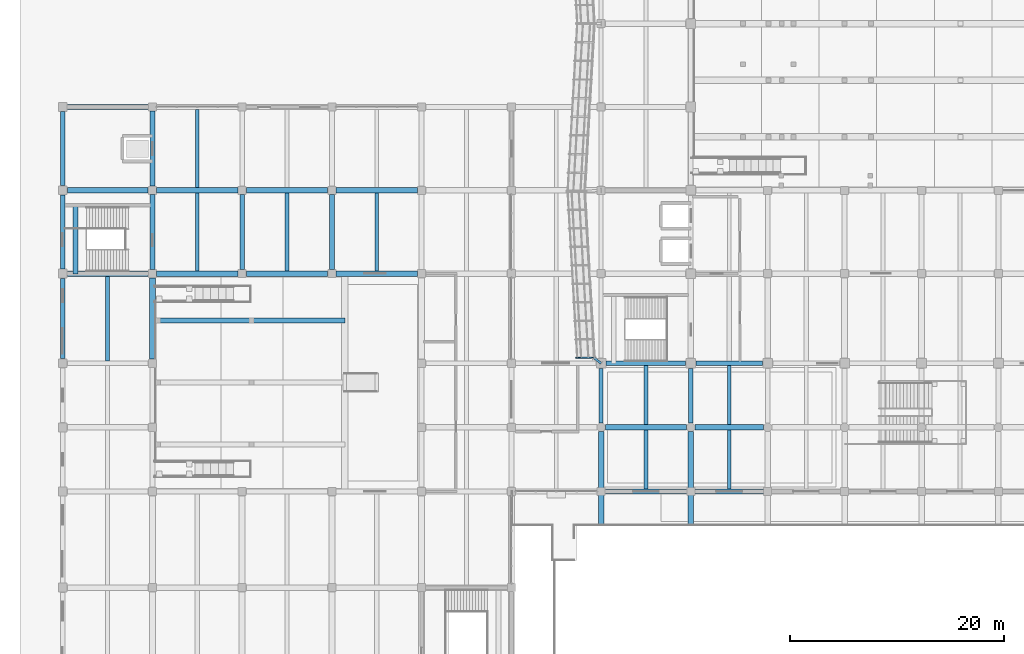
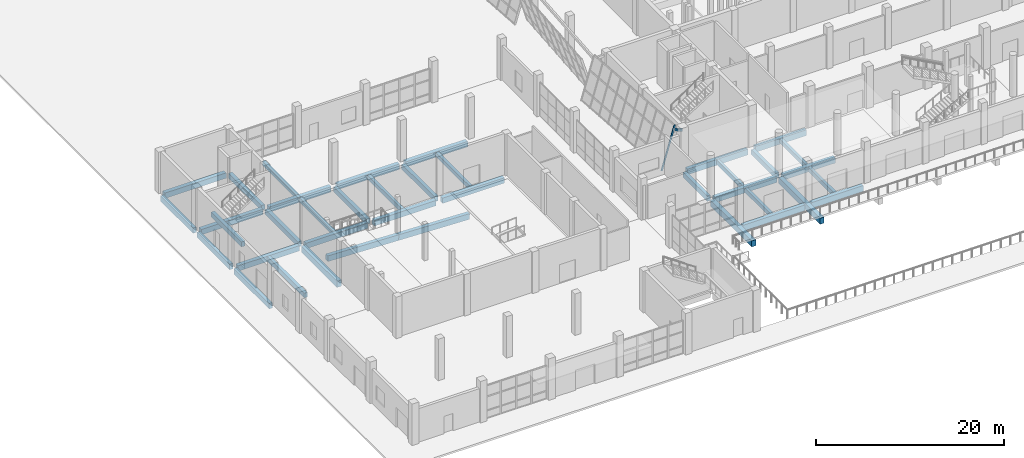
# One storey, part 14 of 78: 40 beams, 1 member, 1 element without a shape of its own.
"""IFC4 building model written with IfcOpenShell, lengths in metres."""

from ifc_helpers import new_model, si_unit, direction, frame, origin, origin_2d, place, context, subcontext, project, spatial, rectangle, hollow_rectangle, extrude, material, material_profile, profile_set, type_object, element, aggregate, save


model = new_model("IFC4")

# Units and contexts
model_context = context("Model", 3, precision=1e-05, world=origin(), true_north=direction((0.0, 1.0)))
body_context = subcontext(model_context, "Body", "Model", "MODEL_VIEW")
ifc_project = project(units=[si_unit("LENGTHUNIT", "METRE"), si_unit("AREAUNIT", "SQUARE_METRE"), si_unit("VOLUMEUNIT", "CUBIC_METRE"), si_unit("PLANEANGLEUNIT", "RADIAN"), si_unit("MASSUNIT", "GRAM", prefix="KILO")], contexts=[model_context])

# Site, building, storey
site_placement = place(None, origin())
site = spatial("IfcSite", under=ifc_project, at=site_placement, CompositionType="ELEMENT")
building_placement = place(site_placement, origin())
building = spatial("IfcBuilding", under=site, at=building_placement, Name="Pellamere Symphony Hall", CompositionType="ELEMENT")
storey_placement = place(building_placement, origin())
storey = spatial("IfcBuildingStorey", under=building, at=storey_placement, Name="L00", CompositionType="ELEMENT", Elevation=0.0)

# Curtain wall, member
ifc_material_1 = material(Name="Thermally Broken Anodised Aluminium 6063-T6 Curtain Wall", Category="aluminium")
curtain_wall_type = type_object("IfcCurtainWallType", Name="Curtain Wall CW-01 (Tilted Faceted Crystal Low-Iron Curtain Wall)", PredefinedType="NOTDEFINED", material=ifc_material_1)
curtain_wall_placement = place(storey_placement, origin())
curtain_wall = element("IfcCurtainWall", 1, at=curtain_wall_placement, inside=storey, type_object=curtain_wall_type, Name="Crystal Faceted Curtain Wall CW-CR18 (L00)", PredefinedType="NOTDEFINED")
ifc_material_2 = material(Name="Anodised Architectural Aluminium 6063-T6", Category="aluminium")
ifc_material_profile_1 = material_profile(ifc_material_2, hollow_rectangle(XDim=0.074951171875, YDim=0.219970703125, WallThickness=0.0048828125, at=origin_2d()), Name="ALU-M75X220X5")
ifc_profile_set_1 = profile_set([ifc_material_profile_1], Name="Anodised Architectural Aluminium 6063-T6")
member_type = type_object("IfcMemberType", Name="Curtain Wall Mullion ML-01 ALU-M75X220X5", PredefinedType="MULLION", material=ifc_profile_set_1)
member_placement = place(storey_placement, frame((48.148193359375, 30.537353515625, 0.0), z_axis=(0.284029290042, 0.0, 0.958815603961), x_axis=(-0.055224456577, 0.998339941676, 0.01635910297)))
member = element("IfcMember", 2, at=member_placement, type_object=member_type, Name="CW1-052 crystal mullion 10", PredefinedType="MULLION", context=body_context, shape_type="SweptSolid", body=[
    extrude(hollow_rectangle(XDim=0.074951171875, YDim=0.219970703125, WallThickness=0.0048828125, at=origin_2d()), origin(), (0.0, 0.0, 1.0), 5.6318359375),
])
aggregate(curtain_wall, [member])

# Beams
ifc_material_3 = material(Name="Concrete 40 MPa", Category="concrete")
ifc_material_profile_2 = material_profile(ifc_material_3, rectangle(XDim=0.550048828125, YDim=0.800048828125, at=origin_2d()), Name="RC 550x800")
ifc_profile_set_2 = profile_set([ifc_material_profile_2], Name="Concrete 40 MPa")
beam_type_1 = type_object("IfcBeamType", Name="RC CB-05 550x800", PredefinedType="BEAM", material=ifc_profile_set_2)
beam_1_placement = place(storey_placement, frame((8.39990234375, 30.39990234375, -0.699951171875), z_axis=(0.0, 1.0, 0.0), x_axis=(-1.0, 0.0, 0.0)))
element("IfcBeam", 3, at=beam_1_placement, inside=storey, type_object=beam_type_1, Name="Girder CB-05-Y0208 (L00)", PredefinedType="BEAM", context=body_context, shape_type="SweptSolid", body=[
    extrude(rectangle(XDim=0.550048828125, YDim=0.800048828125, at=origin_2d()), origin(), (0.0, 0.0, 1.0), 7.60009765625),
])
ifc_material_profile_3 = material_profile(ifc_material_3, rectangle(XDim=0.52001953125, YDim=0.780029296875, at=origin_2d()), Name="RC 520x780")
ifc_profile_set_3 = profile_set([ifc_material_profile_3], Name="Concrete 40 MPa")
beam_type_2 = type_object("IfcBeamType", Name="RC CB-06 520x780", PredefinedType="BEAM", material=ifc_profile_set_3)
for number, where, z_axis, x_axis, name in (
    (4, (50.39990234375, 14.800048828125, -0.68994140625), (0.0, 1.0, 0.0), (-1.0, 0.0, 0.0), "Continuous Cantilever Terrace Girder CB-06-0233 (L00)"),
    (5, (58.800048828125, 14.800048828125, -0.68994140625), (0.0, 1.0, 0.0), (-1.0, 0.0, 0.0), "Continuous Cantilever Terrace Girder CB-06-0246 (L00)"),
):
    element("IfcBeam", number, at=place(storey_placement, frame(where, z_axis=z_axis, x_axis=x_axis)), inside=storey, type_object=beam_type_2, Name=name, PredefinedType="BEAM", context=body_context, shape_type="SweptSolid", body=[
        extrude(rectangle(XDim=0.52001953125, YDim=0.780029296875, at=origin_2d()), origin(), (0.0, 0.0, 1.0), 8.800048828125),
    ])
ifc_material_profile_4 = material_profile(ifc_material_3, rectangle(XDim=0.5, YDim=0.699951171875, at=origin_2d()), Name="RC 500x700")
ifc_profile_set_4 = profile_set([ifc_material_profile_4], Name="Concrete 40 MPa")
beam_type_3 = type_object("IfcBeamType", Name="RC CB-07 500x700", PredefinedType="BEAM", material=ifc_profile_set_4)
beam_2_placement = place(storey_placement, frame((50.800048828125, 24.0, -0.64990234375), z_axis=(1.0, 0.0, 0.0), x_axis=(0.0, 1.0, 0.0)))
element("IfcBeam", 6, at=beam_2_placement, inside=storey, type_object=beam_type_3, Name="Girder CB-07-X0035 (L00)", PredefinedType="BEAM", context=body_context, shape_type="SweptSolid", body=[
    extrude(rectangle(XDim=0.5, YDim=0.699951171875, at=origin_2d()), origin(), (0.0, 0.0, 1.0), 7.599853515625),
])
beam_3_placement = place(storey_placement, frame((59.199951171875, 24.0, -0.64990234375), z_axis=(1.0, 0.0, 0.0), x_axis=(0.0, 1.0, 0.0)))
element("IfcBeam", 7, at=beam_3_placement, inside=storey, type_object=beam_type_3, Name="Girder CB-07-X0036 (L00)", PredefinedType="BEAM", context=body_context, shape_type="SweptSolid", body=[
    extrude(rectangle(XDim=0.5, YDim=0.699951171875, at=origin_2d()), origin(), (0.0, 0.0, 1.0), 6.400146484375),
])
beam_4_placement = place(storey_placement, frame((0.43994140625, 38.39990234375, -0.64990234375), z_axis=(1.0, 0.0, 0.0), x_axis=(0.0, 1.0, 0.0)))
element("IfcBeam", 8, at=beam_4_placement, inside=storey, type_object=beam_type_3, Name="Girder CB-07-X0068 (L00)", PredefinedType="BEAM", context=body_context, shape_type="SweptSolid", body=[
    extrude(rectangle(XDim=0.5, YDim=0.699951171875, at=origin_2d()), origin(), (0.0, 0.0, 1.0), 7.56005859375),
])
beam_5_placement = place(storey_placement, frame((8.800048828125, 38.39990234375, -0.64990234375), z_axis=(1.0, 0.0, 0.0), x_axis=(0.0, 1.0, 0.0)))
element("IfcBeam", 9, at=beam_5_placement, inside=storey, type_object=beam_type_3, Name="Girder CB-07-X0069 (L00)", PredefinedType="BEAM", context=body_context, shape_type="SweptSolid", body=[
    extrude(rectangle(XDim=0.5, YDim=0.699951171875, at=origin_2d()), origin(), (0.0, 0.0, 1.0), 7.599853515625),
])
beam_6_placement = place(storey_placement, frame((17.199951171875, 38.39990234375, -0.64990234375), z_axis=(1.0, 0.0, 0.0), x_axis=(0.0, 1.0, 0.0)))
element("IfcBeam", 10, at=beam_6_placement, inside=storey, type_object=beam_type_3, Name="Girder CB-07-X0070 (L00)", PredefinedType="BEAM", context=body_context, shape_type="SweptSolid", body=[
    extrude(rectangle(XDim=0.5, YDim=0.699951171875, at=origin_2d()), origin(), (0.0, 0.0, 1.0), 7.60009765625),
])
beam_7_placement = place(storey_placement, frame((25.60009765625, 38.39990234375, -0.64990234375), z_axis=(1.0, 0.0, 0.0), x_axis=(0.0, 1.0, 0.0)))
element("IfcBeam", 11, at=beam_7_placement, inside=storey, type_object=beam_type_3, Name="Girder CB-07-X0071 (L00)", PredefinedType="BEAM", context=body_context, shape_type="SweptSolid", body=[
    extrude(rectangle(XDim=0.5, YDim=0.699951171875, at=origin_2d()), origin(), (0.0, 0.0, 1.0), 7.599853515625),
])
beam_8_placement = place(storey_placement, frame((0.43994140625, 46.199951171875, -0.64990234375), z_axis=(1.0, 0.0, 0.0), x_axis=(0.0, 1.0, 0.0)))
element("IfcBeam", 12, at=beam_8_placement, inside=storey, type_object=beam_type_3, Name="Girder CB-07-X0089 (L00)", PredefinedType="BEAM", context=body_context, shape_type="SweptSolid", body=[
    extrude(rectangle(XDim=0.5, YDim=0.699951171875, at=origin_2d()), origin(), (0.0, 0.0, 1.0), 7.56005859375),
])
beam_9_placement = place(storey_placement, frame((8.800048828125, 46.199951171875, -0.64990234375), z_axis=(1.0, 0.0, 0.0), x_axis=(0.0, 1.0, 0.0)))
element("IfcBeam", 13, at=beam_9_placement, inside=storey, type_object=beam_type_3, Name="Girder CB-07-X0090 (L00)", PredefinedType="BEAM", context=body_context, shape_type="SweptSolid", body=[
    extrude(rectangle(XDim=0.5, YDim=0.699951171875, at=origin_2d()), origin(), (0.0, 0.0, 1.0), 7.599853515625),
])
beam_10_placement = place(storey_placement, frame((17.199951171875, 46.199951171875, -0.64990234375), z_axis=(1.0, 0.0, 0.0), x_axis=(0.0, 1.0, 0.0)))
element("IfcBeam", 14, at=beam_10_placement, inside=storey, type_object=beam_type_3, Name="Girder CB-07-X0091 (L00)", PredefinedType="BEAM", context=body_context, shape_type="SweptSolid", body=[
    extrude(rectangle(XDim=0.5, YDim=0.699951171875, at=origin_2d()), origin(), (0.0, 0.0, 1.0), 7.60009765625),
])
beam_11_placement = place(storey_placement, frame((25.60009765625, 46.199951171875, -0.64990234375), z_axis=(1.0, 0.0, 0.0), x_axis=(0.0, 1.0, 0.0)))
element("IfcBeam", 15, at=beam_11_placement, inside=storey, type_object=beam_type_3, Name="Girder CB-07-X0092 (L00)", PredefinedType="BEAM", context=body_context, shape_type="SweptSolid", body=[
    extrude(rectangle(XDim=0.5, YDim=0.699951171875, at=origin_2d()), origin(), (0.0, 0.0, 1.0), 7.599853515625),
])
beam_12_placement = place(storey_placement, frame((0.43994140625, 54.0, -0.64990234375), z_axis=(1.0, 0.0, 0.0), x_axis=(0.0, 1.0, 0.0)))
element("IfcBeam", 16, at=beam_12_placement, inside=storey, type_object=beam_type_3, Name="Girder CB-07-X0110 (L00)", PredefinedType="BEAM", context=body_context, shape_type="SweptSolid", body=[
    extrude(rectangle(XDim=0.5, YDim=0.699951171875, at=origin_2d()), origin(), (0.0, 0.0, 1.0), 7.56005859375),
])
ifc_material_profile_5 = material_profile(ifc_material_3, rectangle(XDim=0.449951171875, YDim=0.64990234375, at=origin_2d()), Name="RC 450x650")
ifc_profile_set_5 = profile_set([ifc_material_profile_5], Name="Concrete 40 MPa")
beam_type_4 = type_object("IfcBeamType", Name="RC CB-08 450x650", PredefinedType="BEAM", material=ifc_profile_set_5)
for number, where, z_axis, x_axis, name in (
    (17, (8.39990234375, 38.800048828125, -0.625), (0.0, 1.0, 0.0), (-1.0, 0.0, 0.0), "Girder CB-08-Y0209 (L00)"),
    (18, (8.39990234375, 46.60009765625, -0.625), (0.0, 1.0, 0.0), (-1.0, 0.0, 0.0), "Girder CB-08-Y0210 (L00)"),
    (19, (16.800048828125, 38.800048828125, -0.625), (0.0, 1.0, 0.0), (-1.0, 0.0, 0.0), "Girder CB-08-Y0213 (L00)"),
    (20, (25.199951171875, 38.800048828125, -0.625), (0.0, 1.0, 0.0), (-1.0, 0.0, 0.0), "Girder CB-08-Y0217 (L00)"),
):
    element("IfcBeam", number, at=place(storey_placement, frame(where, z_axis=z_axis, x_axis=x_axis)), inside=storey, type_object=beam_type_4, Name=name, PredefinedType="BEAM", context=body_context, shape_type="SweptSolid", body=[
        extrude(rectangle(XDim=0.449951171875, YDim=0.64990234375, at=origin_2d()), origin(), (0.0, 0.0, 1.0), 7.0),
    ])
beam_13_placement = place(storey_placement, frame((58.800048828125, 24.39990234375, -0.625), z_axis=(0.0, 1.0, 0.0), x_axis=(-1.0, 0.0, 0.0)))
element("IfcBeam", 21, at=beam_13_placement, inside=storey, type_object=beam_type_4, Name="Girder CB-08-Y0247 (L00)", PredefinedType="BEAM", context=body_context, shape_type="SweptSolid", body=[
    extrude(rectangle(XDim=0.449951171875, YDim=0.64990234375, at=origin_2d()), origin(), (0.0, 0.0, 1.0), 5.125),
])
beam_14_placement = place(storey_placement, frame((1.1923828125, 38.3798828125, 2.155029296875), z_axis=(0.0, 1.0, 0.0), x_axis=(-1.0, 0.0, 0.0)))
element("IfcBeam", 22, at=beam_14_placement, inside=storey, type_object=beam_type_4, Name="Stair ST03-L00 Half Landing Support Beam (L00)", PredefinedType="BEAM", context=body_context, shape_type="SweptSolid", body=[
    extrude(rectangle(XDim=0.449951171875, YDim=0.64990234375, at=origin_2d()), origin(), (0.0, 0.0, 1.0), 6.440185546875),
])
ifc_material_profile_6 = material_profile(ifc_material_3, rectangle(XDim=0.39990234375, YDim=0.60009765625, at=origin_2d()), Name="RC 400x600")
ifc_profile_set_6 = profile_set([ifc_material_profile_6], Name="Concrete 40 MPa")
beam_type_5 = type_object("IfcBeamType", Name="RC CB-09 400x600", PredefinedType="BEAM", material=ifc_profile_set_6)
beam_15_placement = place(storey_placement, frame((4.199951171875, 30.22509765625, -0.614990234375), z_axis=(0.0, 1.0, 0.0), x_axis=(-1.0, 0.0, 0.0)))
element("IfcBeam", 23, at=beam_15_placement, inside=storey, type_object=beam_type_5, Name="Secondary Floor Beam CB-09-M0004 (L00)", PredefinedType="BEAM", context=body_context, shape_type="SweptSolid", body=[
    extrude(rectangle(XDim=0.39990234375, YDim=0.60009765625, at=origin_2d()), origin(), (0.0, 0.0, 1.0), 7.9248046875),
])
ifc_material_4 = material(Name="Concrete 35 MPa", Category="concrete")
ifc_material_profile_7 = material_profile(ifc_material_4, rectangle(XDim=0.35009765625, YDim=0.550048828125, at=origin_2d()), Name="RC 350x550")
ifc_profile_set_7 = profile_set([ifc_material_profile_7], Name="Concrete 35 MPa")
beam_type_6 = type_object("IfcBeamType", Name="RC CB-10 350x550", PredefinedType="BEAM", material=ifc_profile_set_7)
for number, where, z_axis, x_axis, name in (
    (24, (12.60009765625, 38.64990234375, -0.590087890625), (0.0, 1.0, 0.0), (-1.0, 0.0, 0.0), "Secondary Floor Beam CB-10-M0105 (L00)"),
    (25, (12.60009765625, 46.449951171875, -0.590087890625), (0.0, 1.0, 0.0), (-1.0, 0.0, 0.0), "Secondary Floor Beam CB-10-M0106 (L00)"),
    (26, (21.0, 38.64990234375, -0.590087890625), (0.0, 1.0, 0.0), (-1.0, 0.0, 0.0), "Secondary Floor Beam CB-10-M0205 (L00)"),
    (27, (29.39990234375, 38.64990234375, -0.590087890625), (0.0, 1.0, 0.0), (-1.0, 0.0, 0.0), "Secondary Floor Beam CB-10-M0305 (L00)"),
):
    element("IfcBeam", number, at=place(storey_placement, frame(where, z_axis=z_axis, x_axis=x_axis)), inside=storey, type_object=beam_type_6, Name=name, PredefinedType="BEAM", context=body_context, shape_type="SweptSolid", body=[
        extrude(rectangle(XDim=0.35009765625, YDim=0.550048828125, at=origin_2d()), origin(), (0.0, 0.0, 1.0), 7.300048828125),
    ])
for number, where, z_axis, x_axis, name in (
    (28, (54.60009765625, 18.22509765625, -0.590087890625), (0.0, 1.0, 0.0), (-1.0, 0.0, 0.0), "Secondary Floor Beam CB-10-M0602 (L00)"),
    (29, (54.60009765625, 24.25, -0.590087890625), (0.0, 1.0, 0.0), (-1.0, 0.0, 0.0), "Secondary Floor Beam CB-10-M0603 (L00)"),
    (30, (62.39990234375, 18.22509765625, -0.590087890625), (0.0, 1.0, 0.0), (-1.0, 0.0, 0.0), "Secondary Floor Beam CB-10-M0702 (L00)"),
    (31, (62.39990234375, 24.25, -0.590087890625), (0.0, 1.0, 0.0), (-1.0, 0.0, 0.0), "Secondary Floor Beam CB-10-M0703 (L00)"),
):
    element("IfcBeam", number, at=place(storey_placement, frame(where, z_axis=z_axis, x_axis=x_axis)), inside=storey, type_object=beam_type_6, Name=name, PredefinedType="BEAM", context=body_context, shape_type="SweptSolid", body=[
        extrude(rectangle(XDim=0.35009765625, YDim=0.550048828125, at=origin_2d()), origin(), (0.0, 0.0, 1.0), 5.52490234375),
    ])
ifc_material_profile_8 = material_profile(ifc_material_3, rectangle(XDim=0.449951171875, YDim=0.75, at=origin_2d()), Name="RC 450x750")
ifc_profile_set_8 = profile_set([ifc_material_profile_8], Name="Concrete 40 MPa")
beam_type_7 = type_object("IfcBeamType", Name="RC CB-12 450x750", PredefinedType="SPANDREL", material=ifc_profile_set_8)
beam_16_placement = place(storey_placement, frame((50.800048828125, 18.0, -0.675048828125), z_axis=(1.0, 0.0, 0.0), x_axis=(0.0, 1.0, 0.0)))
element("IfcBeam", 32, at=beam_16_placement, inside=storey, type_object=beam_type_7, Name="Girder CB-12-X0017 (L00)", PredefinedType="SPANDREL", context=body_context, shape_type="SweptSolid", body=[
    extrude(rectangle(XDim=0.449951171875, YDim=0.75, at=origin_2d()), origin(), (0.0, 0.0, 1.0), 7.599853515625),
])
beam_17_placement = place(storey_placement, frame((59.199951171875, 18.0, -0.675048828125), z_axis=(1.0, 0.0, 0.0), x_axis=(0.0, 1.0, 0.0)))
element("IfcBeam", 33, at=beam_17_placement, inside=storey, type_object=beam_type_7, Name="Girder CB-12-X0018 (L00)", PredefinedType="SPANDREL", context=body_context, shape_type="SweptSolid", body=[
    extrude(rectangle(XDim=0.449951171875, YDim=0.75, at=origin_2d()), origin(), (0.0, 0.0, 1.0), 6.400146484375),
])
beam_18_placement = place(storey_placement, frame((50.875, 30.0, -0.675048828125), z_axis=(1.0, 0.0, 0.0), x_axis=(0.0, 1.0, 0.0)))
element("IfcBeam", 34, at=beam_18_placement, inside=storey, type_object=beam_type_7, Name="Girder CB-12-X0053 (L00)", PredefinedType="SPANDREL", context=body_context, shape_type="SweptSolid", body=[
    extrude(rectangle(XDim=0.449951171875, YDim=0.75, at=origin_2d()), origin(), (0.0, 0.0, 1.0), 7.449951171875),
])
beam_19_placement = place(storey_placement, frame((59.27490234375, 30.0, -0.675048828125), z_axis=(1.0, 0.0, 0.0), x_axis=(0.0, 1.0, 0.0)))
element("IfcBeam", 35, at=beam_19_placement, inside=storey, type_object=beam_type_7, Name="Girder CB-12-X0054 (L00)", PredefinedType="SPANDREL", context=body_context, shape_type="SweptSolid", body=[
    extrude(rectangle(XDim=0.449951171875, YDim=0.75, at=origin_2d()), origin(), (0.0, 0.0, 1.0), 6.25),
])
ifc_material_profile_9 = material_profile(ifc_material_3, rectangle(XDim=0.39990234375, YDim=0.699951171875, at=origin_2d()), Name="RC 400x700")
ifc_profile_set_9 = profile_set([ifc_material_profile_9], Name="Concrete 40 MPa")
beam_type_8 = type_object("IfcBeamType", Name="RC CB-13 400x700", PredefinedType="SPANDREL", material=ifc_profile_set_9)
beam_20_placement = place(storey_placement, frame((0.0, 30.43994140625, -0.64990234375), z_axis=(0.0, 1.0, 0.0), x_axis=(-1.0, 0.0, 0.0)))
element("IfcBeam", 36, at=beam_20_placement, inside=storey, type_object=beam_type_8, Name="Girder CB-13-Y0201 (L00)", PredefinedType="SPANDREL", context=body_context, shape_type="SweptSolid", body=[
    extrude(rectangle(XDim=0.39990234375, YDim=0.699951171875, at=origin_2d()), origin(), (0.0, 0.0, 1.0), 7.52001953125),
])
beam_21_placement = place(storey_placement, frame((0.0, 38.840087890625, -0.64990234375), z_axis=(0.0, 1.0, 0.0), x_axis=(-1.0, 0.0, 0.0)))
element("IfcBeam", 37, at=beam_21_placement, inside=storey, type_object=beam_type_8, Name="Girder CB-13-Y0202 (L00)", PredefinedType="SPANDREL", context=body_context, shape_type="SweptSolid", body=[
    extrude(rectangle(XDim=0.39990234375, YDim=0.699951171875, at=origin_2d()), origin(), (0.0, 0.0, 1.0), 6.919921875),
])
beam_22_placement = place(storey_placement, frame((0.0, 46.639892578125, -0.64990234375), z_axis=(0.0, 1.0, 0.0), x_axis=(-1.0, 0.0, 0.0)))
element("IfcBeam", 38, at=beam_22_placement, inside=storey, type_object=beam_type_8, Name="Girder CB-13-Y0203 (L00)", PredefinedType="SPANDREL", context=body_context, shape_type="SweptSolid", body=[
    extrude(rectangle(XDim=0.39990234375, YDim=0.699951171875, at=origin_2d()), origin(), (0.0, 0.0, 1.0), 6.920166015625),
])
beam_23_placement = place(storey_placement, frame((50.39990234375, 24.39990234375, -0.64990234375), z_axis=(0.0, 1.0, 0.0), x_axis=(-1.0, 0.0, 0.0)))
element("IfcBeam", 39, at=beam_23_placement, inside=storey, type_object=beam_type_8, Name="Girder CB-13-Y0234 (L00)", PredefinedType="SPANDREL", context=body_context, shape_type="SweptSolid", body=[
    extrude(rectangle(XDim=0.39990234375, YDim=0.699951171875, at=origin_2d()), origin(), (0.0, 0.0, 1.0), 5.125),
])
ifc_material_profile_10 = material_profile(ifc_material_3, rectangle(XDim=0.4599609375, YDim=0.739990234375, at=origin_2d()), Name="RC 460x740")
ifc_profile_set_10 = profile_set([ifc_material_profile_10], Name="Concrete 40 MPa")
beam_type_9 = type_object("IfcBeamType", Name="RC RK-04 460x740", PredefinedType="BEAM", material=ifc_profile_set_10)
beam_24_placement = place(storey_placement, frame((26.39990234375, 34.0, -0.300048828125), z_axis=(-0.999409183561, 0.0, 0.034369809626), x_axis=(0.0, -1.0, 0.0)))
element("IfcBeam", 40, at=beam_24_placement, inside=storey, type_object=beam_type_9, Name="Stand Chamber Stalls Raker Beam RK-04-066", PredefinedType="BEAM", context=body_context, shape_type="SweptSolid", body=[
    extrude(rectangle(XDim=0.4599609375, YDim=0.739990234375, at=origin_2d()), origin(), (0.0, 0.0, 1.0), 8.72998046875),
])
beam_25_placement = place(storey_placement, frame((17.675048828125, 34.0, 0.0), z_axis=(-0.999409216595, 0.0, 0.034368849046), x_axis=(0.0, -1.0, 0.0)))
element("IfcBeam", 41, at=beam_25_placement, inside=storey, type_object=beam_type_9, Name="Stand Chamber Stalls Raker Beam RK-04-067", PredefinedType="BEAM", context=body_context, shape_type="SweptSolid", body=[
    extrude(rectangle(XDim=0.4599609375, YDim=0.739990234375, at=origin_2d()), origin(), (0.0, 0.0, 1.0), 8.730224609375),
])
ifc_material_5 = material(Name="Steel CSA G40.21 350W", Category="steel")
ifc_material_profile_11 = material_profile(ifc_material_5, hollow_rectangle(XDim=0.203125, YDim=0.3046875, WallThickness=0.0126953125, at=origin_2d()), Name="HSS305X203X13")
ifc_profile_set_11 = profile_set([ifc_material_profile_11], Name="Steel CSA G40.21 350W")
beam_type_10 = type_object("IfcBeamType", Name="Steel Spandrel SB-26 HSS305X203X13", PredefinedType="SPANDREL", material=ifc_profile_set_11)
beam_26_placement = place(storey_placement, frame((50.39990234375, 30.0, 4.840087890625), z_axis=(-0.792579713642, 0.609768314627, 0.0), x_axis=(-0.609768314627, -0.792579713642, 0.0)))
element("IfcBeam", 42, at=beam_26_placement, inside=storey, type_object=beam_type_10, Name="Crystal Ring Outrigger Bracket 117 (L00)", PredefinedType="SPANDREL", context=body_context, shape_type="SweptSolid", body=[
    extrude(hollow_rectangle(XDim=0.203125, YDim=0.3046875, WallThickness=0.0126953125, at=origin_2d()), origin(), (0.0, 0.0, 1.0), 0.820068359375),
])

save(model, "model.ifc")
